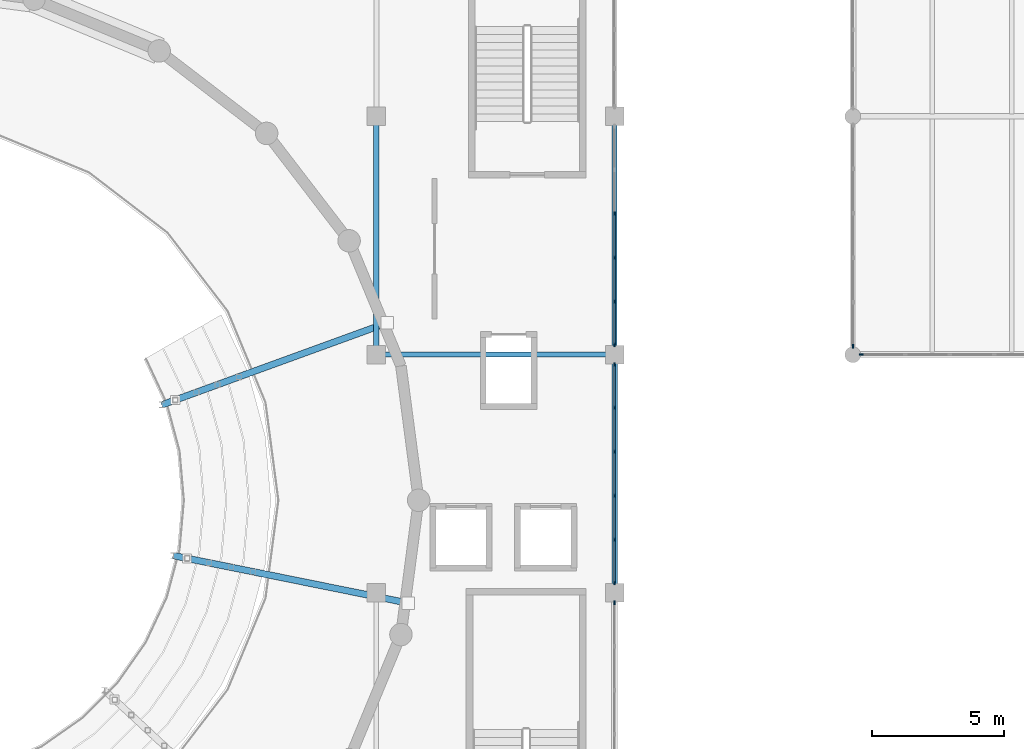
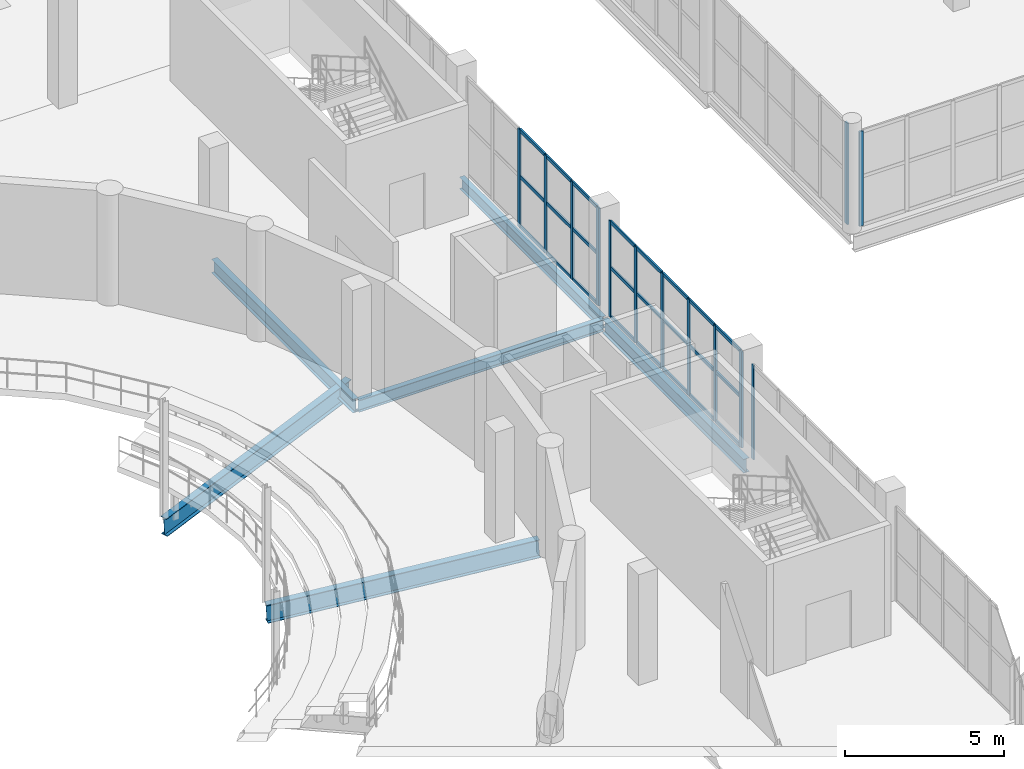
# One storey, part 32 of 73: 37 members, 6 beams, 5 elements without a shape of their own.
"""IFC4 building model written with IfcOpenShell, lengths in metres."""

from ifc_helpers import new_model, si_unit, direction, frame, origin, origin_2d, place, context, subcontext, project, spatial, rectangle, i_section, extrude, material, layer, layer_set, material_profile, profile_set, type_object, element, aggregate, save


model = new_model("IFC4")

# Units and contexts
model_context = context("Model", 3, precision=1e-05, world=origin(), true_north=direction((0.0, 1.0)))
body_context = subcontext(model_context, "Body", "Model", "MODEL_VIEW")
ifc_project = project(units=[si_unit("LENGTHUNIT", "METRE"), si_unit("AREAUNIT", "SQUARE_METRE"), si_unit("VOLUMEUNIT", "CUBIC_METRE"), si_unit("PLANEANGLEUNIT", "RADIAN"), si_unit("MASSUNIT", "GRAM", prefix="KILO")], contexts=[model_context])

# Site, building, storey
site_placement = place(None, origin())
site = spatial("IfcSite", under=ifc_project, at=site_placement, CompositionType="ELEMENT")
building_placement = place(site_placement, origin())
building = spatial("IfcBuilding", under=site, at=building_placement, Name="Marnock Terrace Opera House", CompositionType="ELEMENT")
storey_placement = place(building_placement, frame((0.0, 0.0, 14.699951171875)))
storey = spatial("IfcBuildingStorey", under=building, at=storey_placement, Name="L03", CompositionType="ELEMENT", Elevation=14.699951171875)

# Beams
ifc_material_1 = material(Name="Steel Grade 350 (AS/NZS 3679.1)", Category="steel")
ifc_material_profile_1 = material_profile(ifc_material_1, i_section(OverallWidth=0.19091796875, OverallDepth=0.46044921875, WebThickness=0.010009765625, FlangeThickness=0.01611328125, FilletRadius=0.011474609375, at=origin_2d()))
ifc_profile_set_1 = profile_set([ifc_material_profile_1], Name="Steel Grade 350 (AS/NZS 3679.1)")
beam_type_1 = type_object("IfcBeamType", Name="BM-GIRD-460A", PredefinedType="BEAM", material=ifc_profile_set_1)
beam_1_placement = place(storey_placement, frame((100.050048828125, 66.0, -0.490234375), z_axis=(1.0, 0.0, 0.0), x_axis=(0.0, 1.0, 0.0)))
element("IfcBeam", 1, at=beam_1_placement, inside=storey, type_object=beam_type_1, Name="L03 girder (100.0..109.0, Y=66.0)", PredefinedType="BEAM", context=body_context, shape_type="SweptSolid", body=[
    extrude(i_section(OverallWidth=0.19091796875, OverallDepth=0.46044921875, WebThickness=0.010009765625, FlangeThickness=0.01611328125, FilletRadius=0.011474609375, at=origin_2d()), origin(), (0.0, 0.0, 1.0), 8.89990234375),
])
ifc_material_profile_2 = material_profile(ifc_material_1, i_section(OverallWidth=0.18994140625, OverallDepth=0.45751953125, WebThickness=0.009033203125, FlangeThickness=0.014404296875, FilletRadius=0.011474609375, at=origin_2d()))
ifc_profile_set_2 = profile_set([ifc_material_profile_2], Name="Steel Grade 350 (AS/NZS 3679.1)")
beam_type_2 = type_object("IfcBeamType", Name="BM-GIRD-460B", PredefinedType="BEAM", material=ifc_profile_set_2)
beam_2_placement = place(storey_placement, frame((109.0, 66.050048828125, -0.48876953125), z_axis=(0.0, 1.0, 0.0), x_axis=(-1.0, 0.0, 0.0)))
element("IfcBeam", 2, at=beam_2_placement, inside=storey, type_object=beam_type_2, Name="L03 girder (X=109.0, 66.0..75.0)", PredefinedType="BEAM", context=body_context, shape_type="SweptSolid", body=[
    extrude(i_section(OverallWidth=0.18994140625, OverallDepth=0.45751953125, WebThickness=0.009033203125, FlangeThickness=0.014404296875, FilletRadius=0.011474609375, at=origin_2d()), origin(), (0.0, 0.0, 1.0), 8.89990234375),
])
ifc_material_profile_3 = material_profile(ifc_material_1, i_section(OverallWidth=0.208984375, OverallDepth=0.528076171875, WebThickness=0.009521484375, FlangeThickness=0.01318359375, FilletRadius=0.013916015625, at=origin_2d()))
ifc_profile_set_3 = profile_set([ifc_material_profile_3], Name="Steel Grade 350 (AS/NZS 3679.1)")
beam_type_3 = type_object("IfcBeamType", Name="BM-GIRD-530B", PredefinedType="BEAM", material=ifc_profile_set_3)
for number, where, z_axis, x_axis, name in (
    (3, (100.0, 66.050048828125, -0.52392578125), (0.0, 1.0, 0.0), (-1.0, 0.0, 0.0), "L03 girder (X=100.0, 66.0..75.0)"),
    (4, (109.0, 57.050048828125, -0.52392578125), (0.0, 1.0, 0.0), (-1.0, 0.0, 0.0), "L03 girder (X=109.0, 57.0..66.0)"),
):
    element("IfcBeam", number, at=place(storey_placement, frame(where, z_axis=z_axis, x_axis=x_axis)), inside=storey, type_object=beam_type_3, Name=name, PredefinedType="BEAM", context=body_context, shape_type="SweptSolid", body=[
        extrude(i_section(OverallWidth=0.208984375, OverallDepth=0.528076171875, WebThickness=0.009521484375, FlangeThickness=0.01318359375, FilletRadius=0.013916015625, at=origin_2d()), origin(), (0.0, 0.0, 1.0), 8.89990234375),
    ])
ifc_material_2 = material(Name="Steel Grade 350 Welded (AS/NZS 3679.2)", Category="steel")
ifc_material_profile_4 = material_profile(ifc_material_2, i_section(OverallWidth=0.25, OverallDepth=0.699951171875, WebThickness=0.011962890625, FlangeThickness=0.02001953125, at=origin_2d()))
ifc_profile_set_4 = profile_set([ifc_material_profile_4], Name="Steel Grade 350 Welded (AS/NZS 3679.2)")
beam_type_4 = type_object("IfcBeamType", Name="BM-RAKER-700", PredefinedType="BEAM", material=ifc_profile_set_4)
beam_3_placement = place(storey_placement, frame((92.3408203125, 58.40966796875, -1.159912109375), z_axis=(0.978614945489, -0.197856150976, 0.056264837924), x_axis=(0.198170076298, 0.980167649364, 0.0)))
element("IfcBeam", 5, at=beam_3_placement, inside=storey, type_object=beam_type_4, Name="L03 Auditorium raker girder 7", PredefinedType="BEAM", context=body_context, shape_type="SweptSolid", body=[
    extrude(i_section(OverallWidth=0.25, OverallDepth=0.699951171875, WebThickness=0.011962890625, FlangeThickness=0.02001953125, at=origin_2d()), origin(), (0.0, 0.0, 1.0), 9.064453125),
])
beam_4_placement = place(storey_placement, frame((91.913818359375, 64.1083984375, -1.159912109375), z_axis=(0.938205492565, 0.341474154817, 0.056265933855), x_axis=(-0.342015970523, 0.939694139551, 0.0)))
element("IfcBeam", 6, at=beam_4_placement, inside=storey, type_object=beam_type_4, Name="L03 Auditorium raker girder 8", PredefinedType="BEAM", context=body_context, shape_type="SweptSolid", body=[
    extrude(i_section(OverallWidth=0.25, OverallDepth=0.699951171875, WebThickness=0.011962890625, FlangeThickness=0.02001953125, at=origin_2d()), origin(), (0.0, 0.0, 1.0), 9.064208984375),
])

# Curtain wall, member
ifc_material_3 = material(Name="Anodised architectural bronze aluminium framing", Category="aluminium")
ifc_layer_1 = layer(ifc_material_3, 0.159912109375)
ifc_layer_set_1 = layer_set([ifc_layer_1], Name="Anodised architectural bronze aluminium framing")
curtain_wall_type_1 = type_object("IfcCurtainWallType", Name="CW-FOYER-90x42", PredefinedType="NOTDEFINED", material=ifc_layer_set_1)
curtain_wall_1_placement = place(storey_placement, origin())
curtain_wall_1 = element("IfcCurtainWall", 7, at=curtain_wall_1_placement, inside=storey, type_object=curtain_wall_type_1, Name="L03 glazed Beaux-Arts colonnade curtain wall CW-V1E-L03-06", PredefinedType="NOTDEFINED")
ifc_material_profile_5 = material_profile(ifc_material_3, rectangle(XDim=0.06005859375, YDim=0.14990234375, at=origin_2d()))
ifc_profile_set_5 = profile_set([ifc_material_profile_5], Name="Anodised architectural bronze aluminium framing")
member_type_1 = type_object("IfcMemberType", Name="CWM-60x150", PredefinedType="MULLION", material=ifc_profile_set_5)
member_1_placement = place(storey_placement, frame((109.0, 56.6240234375, 0.0), z_axis=(0.0, 0.0, 1.0), x_axis=(-1.0, 0.0, 0.0)))
member_1 = element("IfcMember", 8, at=member_1_placement, type_object=member_type_1, Name="CW-68 mullion 6", PredefinedType="MULLION", context=body_context, shape_type="SweptSolid", body=[
    extrude(rectangle(XDim=0.06005859375, YDim=0.14990234375, at=origin_2d()), origin(), (0.0, 0.0, 1.0), 3.6181640625),
])
aggregate(curtain_wall_1, [member_1])

# Curtain wall, members
curtain_wall_2_placement = place(storey_placement, origin())
curtain_wall_2 = element("IfcCurtainWall", 9, at=curtain_wall_2_placement, inside=storey, type_object=curtain_wall_type_1, Name="L03 glazed Beaux-Arts colonnade curtain wall CW-V1E-L03-07", PredefinedType="NOTDEFINED")
member_2_placement = place(storey_placement, frame((109.0, 57.3759765625, 0.0), z_axis=(0.0, 0.0, 1.0), x_axis=(-1.0, 0.0, 0.0)))
member_2 = element("IfcMember", 10, at=member_2_placement, type_object=member_type_1, Name="CW-68 mullion 1", PredefinedType="MULLION", context=body_context, shape_type="SweptSolid", body=[
    extrude(rectangle(XDim=0.06005859375, YDim=0.14990234375, at=origin_2d()), origin(), (0.0, 0.0, 1.0), 3.692138671875),
])
member_3_placement = place(storey_placement, frame((109.0, 59.007568359375, 0.0), z_axis=(0.0, 0.0, 1.0), x_axis=(-1.0, 0.0, 0.0)))
member_3 = element("IfcMember", 11, at=member_3_placement, type_object=member_type_1, Name="CW-68 mullion 2", PredefinedType="MULLION", context=body_context, shape_type="SweptSolid", body=[
    extrude(rectangle(XDim=0.06005859375, YDim=0.14990234375, at=origin_2d()), origin(), (0.0, 0.0, 1.0), 3.692138671875),
])
member_4_placement = place(storey_placement, frame((109.0, 60.669189453125, 0.0), z_axis=(0.0, 0.0, 1.0), x_axis=(-1.0, 0.0, 0.0)))
member_4 = element("IfcMember", 12, at=member_4_placement, type_object=member_type_1, Name="CW-68 mullion 3", PredefinedType="MULLION", context=body_context, shape_type="SweptSolid", body=[
    extrude(rectangle(XDim=0.06005859375, YDim=0.14990234375, at=origin_2d()), origin(), (0.0, 0.0, 1.0), 3.692138671875),
])
member_5_placement = place(storey_placement, frame((109.0, 62.330810546875, 0.0), z_axis=(0.0, 0.0, 1.0), x_axis=(-1.0, 0.0, 0.0)))
member_5 = element("IfcMember", 13, at=member_5_placement, type_object=member_type_1, Name="CW-68 mullion 4", PredefinedType="MULLION", context=body_context, shape_type="SweptSolid", body=[
    extrude(rectangle(XDim=0.06005859375, YDim=0.14990234375, at=origin_2d()), origin(), (0.0, 0.0, 1.0), 3.692138671875),
])
member_6_placement = place(storey_placement, frame((109.0, 63.992431640625, 0.0), z_axis=(0.0, 0.0, 1.0), x_axis=(-1.0, 0.0, 0.0)))
member_6 = element("IfcMember", 14, at=member_6_placement, type_object=member_type_1, Name="CW-68 mullion 5", PredefinedType="MULLION", context=body_context, shape_type="SweptSolid", body=[
    extrude(rectangle(XDim=0.06005859375, YDim=0.14990234375, at=origin_2d()), origin(), (0.0, 0.0, 1.0), 3.692138671875),
])
member_7_placement = place(storey_placement, frame((109.0, 65.6240234375, 0.0), z_axis=(0.0, 0.0, 1.0), x_axis=(-1.0, 0.0, 0.0)))
member_7 = element("IfcMember", 15, at=member_7_placement, type_object=member_type_1, Name="CW-68 mullion 6", PredefinedType="MULLION", context=body_context, shape_type="SweptSolid", body=[
    extrude(rectangle(XDim=0.06005859375, YDim=0.14990234375, at=origin_2d()), origin(), (0.0, 0.0, 1.0), 3.692138671875),
])

curtain_wall_3_placement = place(storey_placement, origin())
curtain_wall_3 = element("IfcCurtainWall", 16, at=curtain_wall_3_placement, inside=storey, type_object=curtain_wall_type_1, Name="L03 glazed Beaux-Arts colonnade curtain wall CW-V1E-L03-08", PredefinedType="NOTDEFINED")
member_8_placement = place(storey_placement, frame((109.0, 66.3759765625, 0.0), z_axis=(0.0, 0.0, 1.0), x_axis=(-1.0, 0.0, 0.0)))
member_8 = element("IfcMember", 17, at=member_8_placement, type_object=member_type_1, Name="CW-68 mullion 1", PredefinedType="MULLION", context=body_context, shape_type="SweptSolid", body=[
    extrude(rectangle(XDim=0.06005859375, YDim=0.14990234375, at=origin_2d()), origin(), (0.0, 0.0, 1.0), 3.7626953125),
])
member_9_placement = place(storey_placement, frame((109.0, 68.007568359375, 0.0), z_axis=(0.0, 0.0, 1.0), x_axis=(-1.0, 0.0, 0.0)))
member_9 = element("IfcMember", 18, at=member_9_placement, type_object=member_type_1, Name="CW-68 mullion 2", PredefinedType="MULLION", context=body_context, shape_type="SweptSolid", body=[
    extrude(rectangle(XDim=0.06005859375, YDim=0.14990234375, at=origin_2d()), origin(), (0.0, 0.0, 1.0), 3.7626953125),
])
member_10_placement = place(storey_placement, frame((109.0, 69.669189453125, 0.0), z_axis=(0.0, 0.0, 1.0), x_axis=(-1.0, 0.0, 0.0)))
member_10 = element("IfcMember", 19, at=member_10_placement, type_object=member_type_1, Name="CW-68 mullion 3", PredefinedType="MULLION", context=body_context, shape_type="SweptSolid", body=[
    extrude(rectangle(XDim=0.06005859375, YDim=0.14990234375, at=origin_2d()), origin(), (0.0, 0.0, 1.0), 3.7626953125),
])
member_11_placement = place(storey_placement, frame((109.0, 71.330810546875, 0.0), z_axis=(0.0, 0.0, 1.0), x_axis=(-1.0, 0.0, 0.0)))
member_11 = element("IfcMember", 20, at=member_11_placement, type_object=member_type_1, Name="CW-68 mullion 4", PredefinedType="MULLION", context=body_context, shape_type="SweptSolid", body=[
    extrude(rectangle(XDim=0.06005859375, YDim=0.14990234375, at=origin_2d()), origin(), (0.0, 0.0, 1.0), 3.7626953125),
])

# Curtain wall, member
ifc_layer_2 = layer(ifc_material_3, 0.159912109375)
ifc_layer_set_2 = layer_set([ifc_layer_2], Name="Anodised architectural bronze aluminium framing")
curtain_wall_type_2 = type_object("IfcCurtainWallType", Name="CW-LOGGIA-86x42", PredefinedType="NOTDEFINED", material=ifc_layer_set_2)
curtain_wall_4_placement = place(storey_placement, origin())
curtain_wall_4 = element("IfcCurtainWall", 21, at=curtain_wall_4_placement, inside=storey, type_object=curtain_wall_type_2, Name="L03 glazed Beaux-Arts colonnade curtain wall CW-V5-L03-CN1", PredefinedType="NOTDEFINED")
member_12_placement = place(storey_placement, frame((118.325927734375, 66.0, 0.0), z_axis=(0.0, 0.0, 1.0), x_axis=(0.0, 1.0, 0.0)))
member_12 = element("IfcMember", 22, at=member_12_placement, type_object=member_type_1, Name="CW-66 mullion 1", PredefinedType="MULLION", context=body_context, shape_type="SweptSolid", body=[
    extrude(rectangle(XDim=0.06005859375, YDim=0.14990234375, at=origin_2d()), origin(), (0.0, 0.0, 1.0), 3.64306640625),
])
aggregate(curtain_wall_4, [member_12])

curtain_wall_5_placement = place(storey_placement, origin())
curtain_wall_5 = element("IfcCurtainWall", 23, at=curtain_wall_5_placement, inside=storey, type_object=curtain_wall_type_2, Name="L03 glazed Beaux-Arts colonnade curtain wall CW-V5-L03-W5", PredefinedType="NOTDEFINED")
member_13_placement = place(storey_placement, frame((118.0, 66.325927734375, 0.0), z_axis=(0.0, 0.0, 1.0), x_axis=(-1.0, 0.0, 0.0)))
member_13 = element("IfcMember", 24, at=member_13_placement, type_object=member_type_1, Name="CW-66 mullion 1", PredefinedType="MULLION", context=body_context, shape_type="SweptSolid", body=[
    extrude(rectangle(XDim=0.06005859375, YDim=0.14990234375, at=origin_2d()), origin(), (0.0, 0.0, 1.0), 3.89453125),
])
aggregate(curtain_wall_5, [member_13])

# Member
ifc_material_profile_6 = material_profile(ifc_material_3, rectangle(XDim=0.06005859375, YDim=0.1298828125, at=origin_2d()))
ifc_profile_set_6 = profile_set([ifc_material_profile_6], Name="Anodised architectural bronze aluminium framing")
member_type_2 = type_object("IfcMemberType", Name="CWT-60x130", PredefinedType="USERDEFINED", material=ifc_profile_set_6)
member_14_placement = place(storey_placement, frame((109.0, 57.406005859375, 0.030029296875), z_axis=(0.0, 1.0, 0.0), x_axis=(-1.0, 0.0, 0.0)))
member_14 = element("IfcMember", 25, at=member_14_placement, type_object=member_type_2, Name="CW-68 transom 1.1", ObjectType="TRANSOM", PredefinedType="USERDEFINED", context=body_context, shape_type="SweptSolid", body=[
    extrude(rectangle(XDim=0.06005859375, YDim=0.1298828125, at=origin_2d()), origin(), (0.0, 0.0, 1.0), 1.571533203125),
])

member_15_placement = place(storey_placement, frame((109.0, 57.406005859375, 1.919921875), z_axis=(0.0, 1.0, 0.0), x_axis=(-1.0, 0.0, 0.0)))
member_15 = element("IfcMember", 26, at=member_15_placement, type_object=member_type_2, Name="CW-68 transom 1.2", ObjectType="TRANSOM", PredefinedType="USERDEFINED", context=body_context, shape_type="SweptSolid", body=[
    extrude(rectangle(XDim=0.06005859375, YDim=0.1298828125, at=origin_2d()), origin(), (0.0, 0.0, 1.0), 1.571533203125),
])

member_16_placement = place(storey_placement, frame((109.0, 57.406005859375, 3.662109375), z_axis=(0.0, 1.0, 0.0), x_axis=(-1.0, 0.0, 0.0)))
member_16 = element("IfcMember", 27, at=member_16_placement, type_object=member_type_2, Name="CW-68 transom 1.3", ObjectType="TRANSOM", PredefinedType="USERDEFINED", context=body_context, shape_type="SweptSolid", body=[
    extrude(rectangle(XDim=0.06005859375, YDim=0.1298828125, at=origin_2d()), origin(), (0.0, 0.0, 1.0), 1.571533203125),
])

member_17_placement = place(storey_placement, frame((109.0, 59.03759765625, 0.030029296875), z_axis=(0.0, 1.0, 0.0), x_axis=(-1.0, 0.0, 0.0)))
member_17 = element("IfcMember", 28, at=member_17_placement, type_object=member_type_2, Name="CW-68 transom 2.1", ObjectType="TRANSOM", PredefinedType="USERDEFINED", context=body_context, shape_type="SweptSolid", body=[
    extrude(rectangle(XDim=0.06005859375, YDim=0.1298828125, at=origin_2d()), origin(), (0.0, 0.0, 1.0), 1.6015625),
])

member_18_placement = place(storey_placement, frame((109.0, 59.03759765625, 1.919921875), z_axis=(0.0, 1.0, 0.0), x_axis=(-1.0, 0.0, 0.0)))
member_18 = element("IfcMember", 29, at=member_18_placement, type_object=member_type_2, Name="CW-68 transom 2.2", ObjectType="TRANSOM", PredefinedType="USERDEFINED", context=body_context, shape_type="SweptSolid", body=[
    extrude(rectangle(XDim=0.06005859375, YDim=0.1298828125, at=origin_2d()), origin(), (0.0, 0.0, 1.0), 1.6015625),
])

member_19_placement = place(storey_placement, frame((109.0, 59.03759765625, 3.662109375), z_axis=(0.0, 1.0, 0.0), x_axis=(-1.0, 0.0, 0.0)))
member_19 = element("IfcMember", 30, at=member_19_placement, type_object=member_type_2, Name="CW-68 transom 2.3", ObjectType="TRANSOM", PredefinedType="USERDEFINED", context=body_context, shape_type="SweptSolid", body=[
    extrude(rectangle(XDim=0.06005859375, YDim=0.1298828125, at=origin_2d()), origin(), (0.0, 0.0, 1.0), 1.6015625),
])

member_20_placement = place(storey_placement, frame((109.0, 60.69921875, 0.030029296875), z_axis=(0.0, 1.0, 0.0), x_axis=(-1.0, 0.0, 0.0)))
member_20 = element("IfcMember", 31, at=member_20_placement, type_object=member_type_2, Name="CW-68 transom 3.1", ObjectType="TRANSOM", PredefinedType="USERDEFINED", context=body_context, shape_type="SweptSolid", body=[
    extrude(rectangle(XDim=0.06005859375, YDim=0.1298828125, at=origin_2d()), origin(), (0.0, 0.0, 1.0), 1.6015625),
])

member_21_placement = place(storey_placement, frame((109.0, 60.69921875, 1.919921875), z_axis=(0.0, 1.0, 0.0), x_axis=(-1.0, 0.0, 0.0)))
member_21 = element("IfcMember", 32, at=member_21_placement, type_object=member_type_2, Name="CW-68 transom 3.2", ObjectType="TRANSOM", PredefinedType="USERDEFINED", context=body_context, shape_type="SweptSolid", body=[
    extrude(rectangle(XDim=0.06005859375, YDim=0.1298828125, at=origin_2d()), origin(), (0.0, 0.0, 1.0), 1.6015625),
])

member_22_placement = place(storey_placement, frame((109.0, 60.69921875, 3.662109375), z_axis=(0.0, 1.0, 0.0), x_axis=(-1.0, 0.0, 0.0)))
member_22 = element("IfcMember", 33, at=member_22_placement, type_object=member_type_2, Name="CW-68 transom 3.3", ObjectType="TRANSOM", PredefinedType="USERDEFINED", context=body_context, shape_type="SweptSolid", body=[
    extrude(rectangle(XDim=0.06005859375, YDim=0.1298828125, at=origin_2d()), origin(), (0.0, 0.0, 1.0), 1.6015625),
])

member_23_placement = place(storey_placement, frame((109.0, 62.36083984375, 0.030029296875), z_axis=(0.0, 1.0, 0.0), x_axis=(-1.0, 0.0, 0.0)))
member_23 = element("IfcMember", 34, at=member_23_placement, type_object=member_type_2, Name="CW-68 transom 4.1", ObjectType="TRANSOM", PredefinedType="USERDEFINED", context=body_context, shape_type="SweptSolid", body=[
    extrude(rectangle(XDim=0.06005859375, YDim=0.1298828125, at=origin_2d()), origin(), (0.0, 0.0, 1.0), 1.6015625),
])

member_24_placement = place(storey_placement, frame((109.0, 62.36083984375, 1.919921875), z_axis=(0.0, 1.0, 0.0), x_axis=(-1.0, 0.0, 0.0)))
member_24 = element("IfcMember", 35, at=member_24_placement, type_object=member_type_2, Name="CW-68 transom 4.2", ObjectType="TRANSOM", PredefinedType="USERDEFINED", context=body_context, shape_type="SweptSolid", body=[
    extrude(rectangle(XDim=0.06005859375, YDim=0.1298828125, at=origin_2d()), origin(), (0.0, 0.0, 1.0), 1.6015625),
])

member_25_placement = place(storey_placement, frame((109.0, 62.36083984375, 3.662109375), z_axis=(0.0, 1.0, 0.0), x_axis=(-1.0, 0.0, 0.0)))
member_25 = element("IfcMember", 36, at=member_25_placement, type_object=member_type_2, Name="CW-68 transom 4.3", ObjectType="TRANSOM", PredefinedType="USERDEFINED", context=body_context, shape_type="SweptSolid", body=[
    extrude(rectangle(XDim=0.06005859375, YDim=0.1298828125, at=origin_2d()), origin(), (0.0, 0.0, 1.0), 1.6015625),
])

member_26_placement = place(storey_placement, frame((109.0, 64.0224609375, 0.030029296875), z_axis=(0.0, 1.0, 0.0), x_axis=(-1.0, 0.0, 0.0)))
member_26 = element("IfcMember", 37, at=member_26_placement, type_object=member_type_2, Name="CW-68 transom 5.1", ObjectType="TRANSOM", PredefinedType="USERDEFINED", context=body_context, shape_type="SweptSolid", body=[
    extrude(rectangle(XDim=0.06005859375, YDim=0.1298828125, at=origin_2d()), origin(), (0.0, 0.0, 1.0), 1.571533203125),
])

member_27_placement = place(storey_placement, frame((109.0, 64.0224609375, 1.919921875), z_axis=(0.0, 1.0, 0.0), x_axis=(-1.0, 0.0, 0.0)))
member_27 = element("IfcMember", 38, at=member_27_placement, type_object=member_type_2, Name="CW-68 transom 5.2", ObjectType="TRANSOM", PredefinedType="USERDEFINED", context=body_context, shape_type="SweptSolid", body=[
    extrude(rectangle(XDim=0.06005859375, YDim=0.1298828125, at=origin_2d()), origin(), (0.0, 0.0, 1.0), 1.571533203125),
])

member_28_placement = place(storey_placement, frame((109.0, 64.0224609375, 3.662109375), z_axis=(0.0, 1.0, 0.0), x_axis=(-1.0, 0.0, 0.0)))
member_28 = element("IfcMember", 39, at=member_28_placement, type_object=member_type_2, Name="CW-68 transom 5.3", ObjectType="TRANSOM", PredefinedType="USERDEFINED", context=body_context, shape_type="SweptSolid", body=[
    extrude(rectangle(XDim=0.06005859375, YDim=0.1298828125, at=origin_2d()), origin(), (0.0, 0.0, 1.0), 1.571533203125),
])

aggregate(curtain_wall_2, [member_2, member_3, member_4, member_5, member_6, member_7, member_14, member_15, member_16, member_17, member_18, member_19, member_20, member_21, member_22, member_23, member_24, member_25, member_26, member_27, member_28])

member_29_placement = place(storey_placement, frame((109.0, 66.406005859375, 0.030029296875), z_axis=(0.0, 1.0, 0.0), x_axis=(-1.0, 0.0, 0.0)))
member_29 = element("IfcMember", 40, at=member_29_placement, type_object=member_type_2, Name="CW-68 transom 1.1", ObjectType="TRANSOM", PredefinedType="USERDEFINED", context=body_context, shape_type="SweptSolid", body=[
    extrude(rectangle(XDim=0.06005859375, YDim=0.1298828125, at=origin_2d()), origin(), (0.0, 0.0, 1.0), 1.571533203125),
])

member_30_placement = place(storey_placement, frame((109.0, 66.406005859375, 1.95654296875), z_axis=(0.0, 1.0, 0.0), x_axis=(-1.0, 0.0, 0.0)))
member_30 = element("IfcMember", 41, at=member_30_placement, type_object=member_type_2, Name="CW-68 transom 1.2", ObjectType="TRANSOM", PredefinedType="USERDEFINED", context=body_context, shape_type="SweptSolid", body=[
    extrude(rectangle(XDim=0.06005859375, YDim=0.1298828125, at=origin_2d()), origin(), (0.0, 0.0, 1.0), 1.571533203125),
])

member_31_placement = place(storey_placement, frame((109.0, 66.406005859375, 3.732666015625), z_axis=(0.0, 1.0, 0.0), x_axis=(-1.0, 0.0, 0.0)))
member_31 = element("IfcMember", 42, at=member_31_placement, type_object=member_type_2, Name="CW-68 transom 1.3", ObjectType="TRANSOM", PredefinedType="USERDEFINED", context=body_context, shape_type="SweptSolid", body=[
    extrude(rectangle(XDim=0.06005859375, YDim=0.1298828125, at=origin_2d()), origin(), (0.0, 0.0, 1.0), 1.571533203125),
])

member_32_placement = place(storey_placement, frame((109.0, 68.03759765625, 0.030029296875), z_axis=(0.0, 1.0, 0.0), x_axis=(-1.0, 0.0, 0.0)))
member_32 = element("IfcMember", 43, at=member_32_placement, type_object=member_type_2, Name="CW-68 transom 2.1", ObjectType="TRANSOM", PredefinedType="USERDEFINED", context=body_context, shape_type="SweptSolid", body=[
    extrude(rectangle(XDim=0.06005859375, YDim=0.1298828125, at=origin_2d()), origin(), (0.0, 0.0, 1.0), 1.6015625),
])

member_33_placement = place(storey_placement, frame((109.0, 68.03759765625, 1.95654296875), z_axis=(0.0, 1.0, 0.0), x_axis=(-1.0, 0.0, 0.0)))
member_33 = element("IfcMember", 44, at=member_33_placement, type_object=member_type_2, Name="CW-68 transom 2.2", ObjectType="TRANSOM", PredefinedType="USERDEFINED", context=body_context, shape_type="SweptSolid", body=[
    extrude(rectangle(XDim=0.06005859375, YDim=0.1298828125, at=origin_2d()), origin(), (0.0, 0.0, 1.0), 1.6015625),
])

member_34_placement = place(storey_placement, frame((109.0, 68.03759765625, 3.732666015625), z_axis=(0.0, 1.0, 0.0), x_axis=(-1.0, 0.0, 0.0)))
member_34 = element("IfcMember", 45, at=member_34_placement, type_object=member_type_2, Name="CW-68 transom 2.3", ObjectType="TRANSOM", PredefinedType="USERDEFINED", context=body_context, shape_type="SweptSolid", body=[
    extrude(rectangle(XDim=0.06005859375, YDim=0.1298828125, at=origin_2d()), origin(), (0.0, 0.0, 1.0), 1.6015625),
])

member_35_placement = place(storey_placement, frame((109.0, 69.69921875, 0.030029296875), z_axis=(0.0, 1.0, 0.0), x_axis=(-1.0, 0.0, 0.0)))
member_35 = element("IfcMember", 46, at=member_35_placement, type_object=member_type_2, Name="CW-68 transom 3.1", ObjectType="TRANSOM", PredefinedType="USERDEFINED", context=body_context, shape_type="SweptSolid", body=[
    extrude(rectangle(XDim=0.06005859375, YDim=0.1298828125, at=origin_2d()), origin(), (0.0, 0.0, 1.0), 1.6015625),
])

member_36_placement = place(storey_placement, frame((109.0, 69.69921875, 1.95654296875), z_axis=(0.0, 1.0, 0.0), x_axis=(-1.0, 0.0, 0.0)))
member_36 = element("IfcMember", 47, at=member_36_placement, type_object=member_type_2, Name="CW-68 transom 3.2", ObjectType="TRANSOM", PredefinedType="USERDEFINED", context=body_context, shape_type="SweptSolid", body=[
    extrude(rectangle(XDim=0.06005859375, YDim=0.1298828125, at=origin_2d()), origin(), (0.0, 0.0, 1.0), 1.6015625),
])

member_37_placement = place(storey_placement, frame((109.0, 69.69921875, 3.732666015625), z_axis=(0.0, 1.0, 0.0), x_axis=(-1.0, 0.0, 0.0)))
member_37 = element("IfcMember", 48, at=member_37_placement, type_object=member_type_2, Name="CW-68 transom 3.3", ObjectType="TRANSOM", PredefinedType="USERDEFINED", context=body_context, shape_type="SweptSolid", body=[
    extrude(rectangle(XDim=0.06005859375, YDim=0.1298828125, at=origin_2d()), origin(), (0.0, 0.0, 1.0), 1.6015625),
])

aggregate(curtain_wall_3, [member_8, member_9, member_10, member_11, member_29, member_30, member_31, member_32, member_33, member_34, member_35, member_36, member_37])

save(model, "model.ifc")
